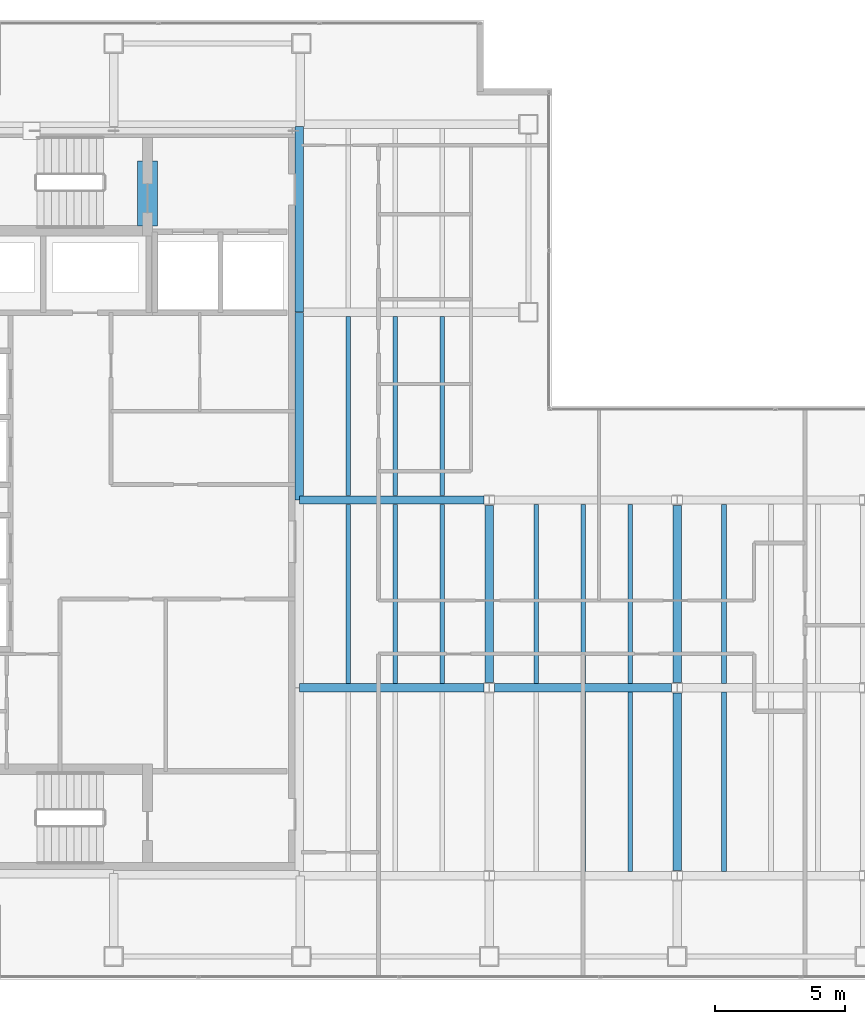
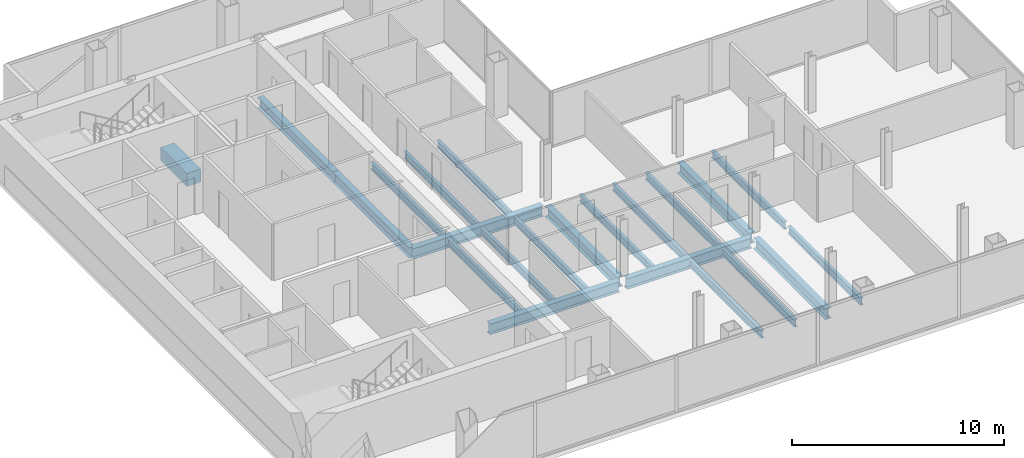
# One storey, part 7 of 23: 22 beams.
"""IFC4 building model written with IfcOpenShell, lengths in metres."""

from ifc_helpers import new_model, si_unit, direction, frame, origin, origin_2d, place, context, subcontext, project, spatial, rectangle, i_section, extrude, material, material_profile, profile_set, type_object, element, save


model = new_model("IFC4")

# Units and contexts
model_context = context("Model", 3, precision=1e-05, world=origin(), true_north=direction((0.0, 1.0)))
body_context = subcontext(model_context, "Body", "Model", "MODEL_VIEW")
ifc_project = project(units=[si_unit("LENGTHUNIT", "METRE"), si_unit("AREAUNIT", "SQUARE_METRE"), si_unit("VOLUMEUNIT", "CUBIC_METRE"), si_unit("PLANEANGLEUNIT", "RADIAN"), si_unit("MASSUNIT", "GRAM", prefix="KILO")], contexts=[model_context])

# Site, building, storey
site_placement = place(None, origin())
site = spatial("IfcSite", under=ifc_project, at=site_placement, CompositionType="ELEMENT")
building_placement = place(site_placement, origin())
building = spatial("IfcBuilding", under=site, at=building_placement, Name="Cobrela Telecom Tower", CompositionType="ELEMENT")
storey_placement = place(building_placement, frame((0.0, 0.0, 215.25)))
storey = spatial("IfcBuildingStorey", under=building, at=storey_placement, Name="L55", CompositionType="ELEMENT", Elevation=215.25)

# Beams
ifc_material_1 = material(Name="Concrete C40/50", Category="concrete")
ifc_material_profile_1 = material_profile(ifc_material_1, rectangle(XDim=0.75, YDim=0.75, at=origin_2d()), Name="RC 750x750")
ifc_profile_set_1 = profile_set([ifc_material_profile_1], Name="Concrete C40/50")
beam_type_1 = type_object("IfcBeamType", Name="BM-COUP-RC", PredefinedType="LINTEL", material=ifc_profile_set_1)
beam_1_placement = place(storey_placement, frame((8.5, 32.10009765625, -0.610107421875), z_axis=(0.0, 1.0, 0.0), x_axis=(-1.0, 0.0, 0.0)))
element("IfcBeam", 1, at=beam_1_placement, inside=storey, type_object=beam_type_1, Name="L55 Core Coupling Lintel Beam", PredefinedType="LINTEL", context=body_context, shape_type="SweptSolid", body=[
    extrude(rectangle(XDim=0.75, YDim=0.75, at=origin_2d()), origin(), (0.0, 0.0, 1.0), 2.5),
])
ifc_material_2 = material(Name="Steel ASTM A992 Grade 50", Category="steel")
ifc_material_profile_2 = material_profile(ifc_material_2, i_section(OverallWidth=0.324951171875, OverallDepth=0.612060546875, WebThickness=0.0126953125, FlangeThickness=0.01904296875, FilletRadius=0.014892578125, at=origin_2d()), Name="W24X104")
ifc_profile_set_2 = profile_set([ifc_material_profile_2], Name="Steel ASTM A992 Grade 50")
beam_type_2 = type_object("IfcBeamType", Name="BM-GIRD-07", PredefinedType="USERDEFINED", material=ifc_profile_set_2)
beam_2_placement = place(storey_placement, frame((14.324951171875, 14.39990234375, -0.56591796875), z_axis=(1.0, 0.0, 0.0), x_axis=(0.0, 1.0, 0.0)))
element("IfcBeam", 2, at=beam_2_placement, inside=storey, type_object=beam_type_2, Name="L55 Primary Girder X11", ObjectType="GIRDER", PredefinedType="USERDEFINED", context=body_context, shape_type="SweptSolid", body=[
    extrude(i_section(OverallWidth=0.324951171875, OverallDepth=0.612060546875, WebThickness=0.0126953125, FlangeThickness=0.01904296875, FilletRadius=0.014892578125, at=origin_2d()), origin(), (0.0, 0.0, 1.0), 7.070556640625),
])
beam_3_placement = place(storey_placement, frame((21.804443359375, 14.39990234375, -0.56591796875), z_axis=(1.0, 0.0, 0.0), x_axis=(0.0, 1.0, 0.0)))
element("IfcBeam", 3, at=beam_3_placement, inside=storey, type_object=beam_type_2, Name="L55 Primary Girder X12", ObjectType="GIRDER", PredefinedType="USERDEFINED", context=body_context, shape_type="SweptSolid", body=[
    extrude(i_section(OverallWidth=0.324951171875, OverallDepth=0.612060546875, WebThickness=0.0126953125, FlangeThickness=0.01904296875, FilletRadius=0.014892578125, at=origin_2d()), origin(), (0.0, 0.0, 1.0), 6.791015625),
])
beam_4_placement = place(storey_placement, frame((14.324951171875, 21.60009765625, -0.56591796875), z_axis=(1.0, 0.0, 0.0), x_axis=(0.0, 1.0, 0.0)))
element("IfcBeam", 4, at=beam_4_placement, inside=storey, type_object=beam_type_2, Name="L55 Primary Girder X15", ObjectType="GIRDER", PredefinedType="USERDEFINED", context=body_context, shape_type="SweptSolid", body=[
    extrude(i_section(OverallWidth=0.324951171875, OverallDepth=0.612060546875, WebThickness=0.0126953125, FlangeThickness=0.01904296875, FilletRadius=0.014892578125, at=origin_2d()), origin(), (0.0, 0.0, 1.0), 7.070556640625),
])
beam_5_placement = place(storey_placement, frame((14.320068359375, 21.60498046875, -0.56591796875), z_axis=(0.0, 1.0, 0.0), x_axis=(-1.0, 0.0, 0.0)))
element("IfcBeam", 5, at=beam_5_placement, inside=storey, type_object=beam_type_2, Name="L55 Primary Girder Y29", ObjectType="GIRDER", PredefinedType="USERDEFINED", context=body_context, shape_type="SweptSolid", body=[
    extrude(i_section(OverallWidth=0.324951171875, OverallDepth=0.612060546875, WebThickness=0.0126953125, FlangeThickness=0.01904296875, FilletRadius=0.014892578125, at=origin_2d()), origin(), (0.0, 0.0, 1.0), 7.18994140625),
])
beam_6_placement = place(storey_placement, frame((14.320068359375, 28.804931640625, -0.56591796875), z_axis=(0.0, 1.0, 0.0), x_axis=(-1.0, 0.0, 0.0)))
element("IfcBeam", 6, at=beam_6_placement, inside=storey, type_object=beam_type_2, Name="L55 Primary Girder Y30", ObjectType="GIRDER", PredefinedType="USERDEFINED", context=body_context, shape_type="SweptSolid", body=[
    extrude(i_section(OverallWidth=0.324951171875, OverallDepth=0.612060546875, WebThickness=0.0126953125, FlangeThickness=0.01904296875, FilletRadius=0.014892578125, at=origin_2d()), origin(), (0.0, 0.0, 1.0), 7.110107421875),
])
for number, where, z_axis, x_axis, name in (
    (7, (21.60009765625, 14.6044921875, -0.56591796875), (0.0, 1.0, 0.0), (-1.0, 0.0, 0.0), "L55 Primary Girder Y34"),
    (8, (28.800048828125, 7.404541015625, -0.56591796875), (0.0, 1.0, 0.0), (-1.0, 0.0, 0.0), "L55 Primary Girder Y37"),
    (9, (28.800048828125, 14.6044921875, -0.56591796875), (0.0, 1.0, 0.0), (-1.0, 0.0, 0.0), "L55 Primary Girder Y38"),
):
    element("IfcBeam", number, at=place(storey_placement, frame(where, z_axis=z_axis, x_axis=x_axis)), inside=storey, type_object=beam_type_2, Name=name, ObjectType="GIRDER", PredefinedType="USERDEFINED", context=body_context, shape_type="SweptSolid", body=[
        extrude(i_section(OverallWidth=0.324951171875, OverallDepth=0.612060546875, WebThickness=0.0126953125, FlangeThickness=0.01904296875, FilletRadius=0.014892578125, at=origin_2d()), origin(), (0.0, 0.0, 1.0), 6.791015625),
    ])
ifc_material_profile_3 = material_profile(ifc_material_2, i_section(OverallWidth=0.179931640625, OverallDepth=0.4169921875, WebThickness=0.010986328125, FlangeThickness=0.01806640625, FilletRadius=0.011962890625, at=origin_2d()), Name="W16X57")
ifc_profile_set_3 = profile_set([ifc_material_profile_3], Name="Steel ASTM A992 Grade 50")
beam_type_3 = type_object("IfcBeamType", Name="BM-JOIST-04", PredefinedType="JOIST", material=ifc_profile_set_3)
beam_7_placement = place(storey_placement, frame((16.199951171875, 14.5673828125, -0.468505859375), z_axis=(0.0, 1.0, 0.0), x_axis=(-1.0, 0.0, 0.0)))
element("IfcBeam", 10, at=beam_7_placement, inside=storey, type_object=beam_type_3, Name="L55 Secondary Composite Floor Beam J02", PredefinedType="JOIST", context=body_context, shape_type="SweptSolid", body=[
    extrude(i_section(OverallWidth=0.179931640625, OverallDepth=0.4169921875, WebThickness=0.010986328125, FlangeThickness=0.01806640625, FilletRadius=0.011962890625, at=origin_2d()), origin(), (0.0, 0.0, 1.0), 6.865234375),
])
beam_8_placement = place(storey_placement, frame((16.199951171875, 21.767578125, -0.468505859375), z_axis=(0.0, 1.0, 0.0), x_axis=(-1.0, 0.0, 0.0)))
element("IfcBeam", 11, at=beam_8_placement, inside=storey, type_object=beam_type_3, Name="L55 Secondary Composite Floor Beam J03", PredefinedType="JOIST", context=body_context, shape_type="SweptSolid", body=[
    extrude(i_section(OverallWidth=0.179931640625, OverallDepth=0.4169921875, WebThickness=0.010986328125, FlangeThickness=0.01806640625, FilletRadius=0.011962890625, at=origin_2d()), origin(), (0.0, 0.0, 1.0), 6.864990234375),
])
beam_9_placement = place(storey_placement, frame((18.0, 14.5673828125, -0.468505859375), z_axis=(0.0, 1.0, 0.0), x_axis=(-1.0, 0.0, 0.0)))
element("IfcBeam", 12, at=beam_9_placement, inside=storey, type_object=beam_type_3, Name="L55 Secondary Composite Floor Beam J06", PredefinedType="JOIST", context=body_context, shape_type="SweptSolid", body=[
    extrude(i_section(OverallWidth=0.179931640625, OverallDepth=0.4169921875, WebThickness=0.010986328125, FlangeThickness=0.01806640625, FilletRadius=0.011962890625, at=origin_2d()), origin(), (0.0, 0.0, 1.0), 6.865234375),
])
beam_10_placement = place(storey_placement, frame((18.0, 21.767578125, -0.468505859375), z_axis=(0.0, 1.0, 0.0), x_axis=(-1.0, 0.0, 0.0)))
element("IfcBeam", 13, at=beam_10_placement, inside=storey, type_object=beam_type_3, Name="L55 Secondary Composite Floor Beam J07", PredefinedType="JOIST", context=body_context, shape_type="SweptSolid", body=[
    extrude(i_section(OverallWidth=0.179931640625, OverallDepth=0.4169921875, WebThickness=0.010986328125, FlangeThickness=0.01806640625, FilletRadius=0.011962890625, at=origin_2d()), origin(), (0.0, 0.0, 1.0), 6.864990234375),
])
beam_11_placement = place(storey_placement, frame((19.800048828125, 14.5673828125, -0.468505859375), z_axis=(0.0, 1.0, 0.0), x_axis=(-1.0, 0.0, 0.0)))
element("IfcBeam", 14, at=beam_11_placement, inside=storey, type_object=beam_type_3, Name="L55 Secondary Composite Floor Beam J10", PredefinedType="JOIST", context=body_context, shape_type="SweptSolid", body=[
    extrude(i_section(OverallWidth=0.179931640625, OverallDepth=0.4169921875, WebThickness=0.010986328125, FlangeThickness=0.01806640625, FilletRadius=0.011962890625, at=origin_2d()), origin(), (0.0, 0.0, 1.0), 6.865234375),
])
beam_12_placement = place(storey_placement, frame((19.800048828125, 21.767578125, -0.468505859375), z_axis=(0.0, 1.0, 0.0), x_axis=(-1.0, 0.0, 0.0)))
element("IfcBeam", 15, at=beam_12_placement, inside=storey, type_object=beam_type_3, Name="L55 Secondary Composite Floor Beam J11", PredefinedType="JOIST", context=body_context, shape_type="SweptSolid", body=[
    extrude(i_section(OverallWidth=0.179931640625, OverallDepth=0.4169921875, WebThickness=0.010986328125, FlangeThickness=0.01806640625, FilletRadius=0.011962890625, at=origin_2d()), origin(), (0.0, 0.0, 1.0), 6.864990234375),
])
beam_13_placement = place(storey_placement, frame((23.39990234375, 14.5673828125, -0.468505859375), z_axis=(0.0, 1.0, 0.0), x_axis=(-1.0, 0.0, 0.0)))
element("IfcBeam", 16, at=beam_13_placement, inside=storey, type_object=beam_type_3, Name="L55 Secondary Composite Floor Beam J14", PredefinedType="JOIST", context=body_context, shape_type="SweptSolid", body=[
    extrude(i_section(OverallWidth=0.179931640625, OverallDepth=0.4169921875, WebThickness=0.010986328125, FlangeThickness=0.01806640625, FilletRadius=0.011962890625, at=origin_2d()), origin(), (0.0, 0.0, 1.0), 6.865234375),
])
beam_14_placement = place(storey_placement, frame((25.199951171875, 7.367431640625, -0.468505859375), z_axis=(0.0, 1.0, 0.0), x_axis=(-1.0, 0.0, 0.0)))
element("IfcBeam", 17, at=beam_14_placement, inside=storey, type_object=beam_type_3, Name="L55 Secondary Composite Floor Beam J15", PredefinedType="JOIST", context=body_context, shape_type="SweptSolid", body=[
    extrude(i_section(OverallWidth=0.179931640625, OverallDepth=0.4169921875, WebThickness=0.010986328125, FlangeThickness=0.01806640625, FilletRadius=0.011962890625, at=origin_2d()), origin(), (0.0, 0.0, 1.0), 6.864990234375),
])
beam_15_placement = place(storey_placement, frame((25.199951171875, 14.5673828125, -0.468505859375), z_axis=(0.0, 1.0, 0.0), x_axis=(-1.0, 0.0, 0.0)))
element("IfcBeam", 18, at=beam_15_placement, inside=storey, type_object=beam_type_3, Name="L55 Secondary Composite Floor Beam J16", PredefinedType="JOIST", context=body_context, shape_type="SweptSolid", body=[
    extrude(i_section(OverallWidth=0.179931640625, OverallDepth=0.4169921875, WebThickness=0.010986328125, FlangeThickness=0.01806640625, FilletRadius=0.011962890625, at=origin_2d()), origin(), (0.0, 0.0, 1.0), 6.865234375),
])
beam_16_placement = place(storey_placement, frame((27.0, 7.367431640625, -0.468505859375), z_axis=(0.0, 1.0, 0.0), x_axis=(-1.0, 0.0, 0.0)))
element("IfcBeam", 19, at=beam_16_placement, inside=storey, type_object=beam_type_3, Name="L55 Secondary Composite Floor Beam J17", PredefinedType="JOIST", context=body_context, shape_type="SweptSolid", body=[
    extrude(i_section(OverallWidth=0.179931640625, OverallDepth=0.4169921875, WebThickness=0.010986328125, FlangeThickness=0.01806640625, FilletRadius=0.011962890625, at=origin_2d()), origin(), (0.0, 0.0, 1.0), 6.864990234375),
])
beam_17_placement = place(storey_placement, frame((27.0, 14.5673828125, -0.468505859375), z_axis=(0.0, 1.0, 0.0), x_axis=(-1.0, 0.0, 0.0)))
element("IfcBeam", 20, at=beam_17_placement, inside=storey, type_object=beam_type_3, Name="L55 Secondary Composite Floor Beam J18", PredefinedType="JOIST", context=body_context, shape_type="SweptSolid", body=[
    extrude(i_section(OverallWidth=0.179931640625, OverallDepth=0.4169921875, WebThickness=0.010986328125, FlangeThickness=0.01806640625, FilletRadius=0.011962890625, at=origin_2d()), origin(), (0.0, 0.0, 1.0), 6.865234375),
])
beam_18_placement = place(storey_placement, frame((30.60009765625, 7.367431640625, -0.468505859375), z_axis=(0.0, 1.0, 0.0), x_axis=(-1.0, 0.0, 0.0)))
element("IfcBeam", 21, at=beam_18_placement, inside=storey, type_object=beam_type_3, Name="L55 Secondary Composite Floor Beam J19", PredefinedType="JOIST", context=body_context, shape_type="SweptSolid", body=[
    extrude(i_section(OverallWidth=0.179931640625, OverallDepth=0.4169921875, WebThickness=0.010986328125, FlangeThickness=0.01806640625, FilletRadius=0.011962890625, at=origin_2d()), origin(), (0.0, 0.0, 1.0), 6.864990234375),
])
beam_19_placement = place(storey_placement, frame((30.60009765625, 14.5673828125, -0.468505859375), z_axis=(0.0, 1.0, 0.0), x_axis=(-1.0, 0.0, 0.0)))
element("IfcBeam", 22, at=beam_19_placement, inside=storey, type_object=beam_type_3, Name="L55 Secondary Composite Floor Beam J20", PredefinedType="JOIST", context=body_context, shape_type="SweptSolid", body=[
    extrude(i_section(OverallWidth=0.179931640625, OverallDepth=0.4169921875, WebThickness=0.010986328125, FlangeThickness=0.01806640625, FilletRadius=0.011962890625, at=origin_2d()), origin(), (0.0, 0.0, 1.0), 6.865234375),
])

save(model, "model.ifc")
